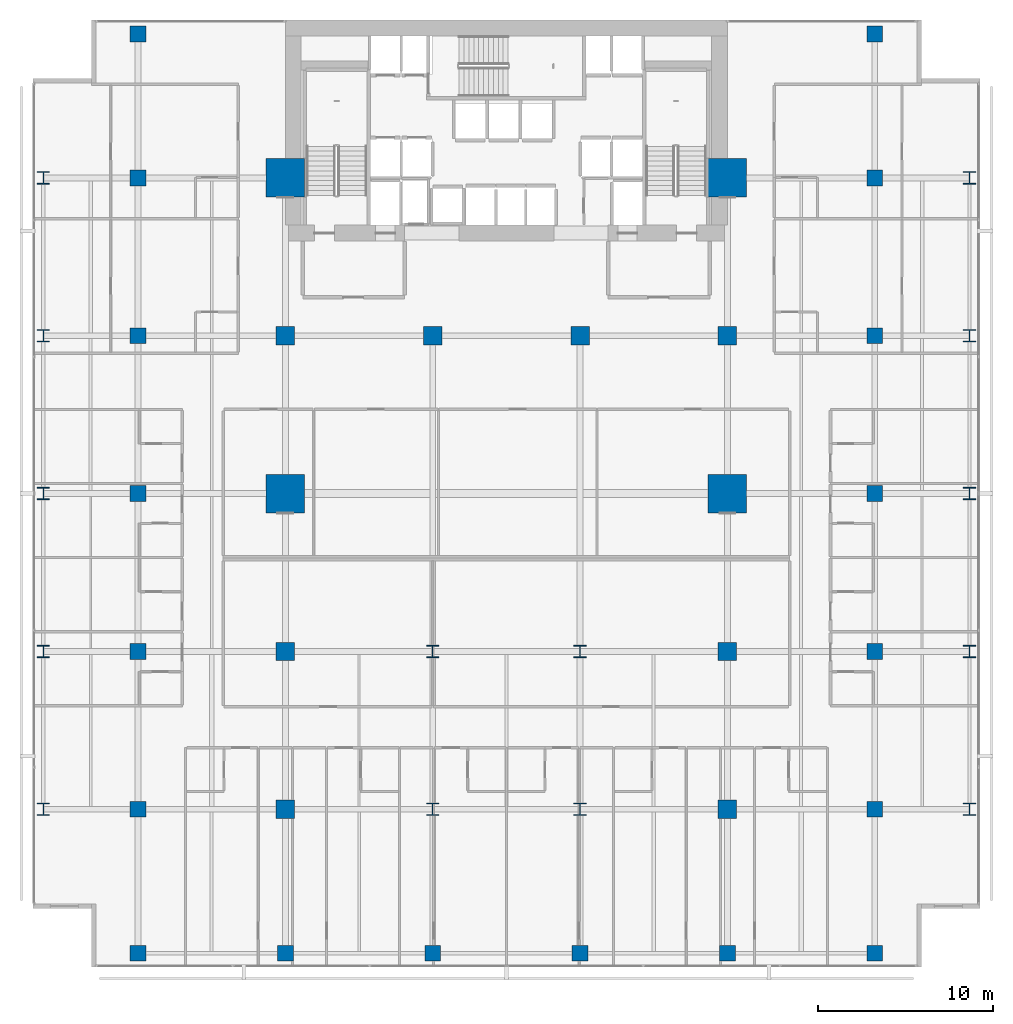
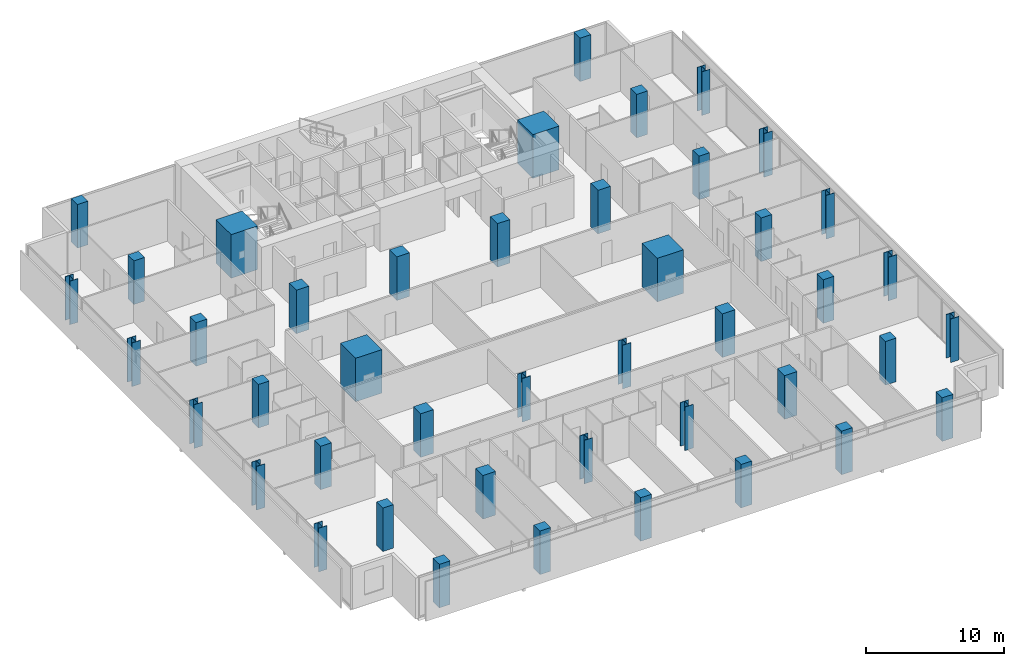
# One storey, part 1 of 40: 44 columns.
"""IFC4 building model written with IfcOpenShell, lengths in metres."""

from ifc_helpers import new_model, si_unit, direction, frame, origin, origin_2d, place, context, subcontext, project, spatial, rectangle, i_section, extrude, material, material_profile, profile_set, type_object, element, save


model = new_model("IFC4")

# Units and contexts
model_context = context("Model", 3, precision=1e-05, world=origin(), true_north=direction((0.0, 1.0)))
body_context = subcontext(model_context, "Body", "Model", "MODEL_VIEW")
ifc_project = project(units=[si_unit("LENGTHUNIT", "METRE"), si_unit("AREAUNIT", "SQUARE_METRE"), si_unit("VOLUMEUNIT", "CUBIC_METRE"), si_unit("PLANEANGLEUNIT", "RADIAN"), si_unit("MASSUNIT", "GRAM", prefix="KILO")], contexts=[model_context])

# Site, building, storey
site_placement = place(None, origin())
site = spatial("IfcSite", under=ifc_project, at=site_placement, CompositionType="ELEMENT")
building_placement = place(site_placement, origin())
building = spatial("IfcBuilding", under=site, at=building_placement, Name="Maruvema Waterfront Hotel and Observation Tower", CompositionType="ELEMENT")
storey_placement = place(building_placement, frame((0.0, 0.0, 34.64990234375)))
storey = spatial("IfcBuildingStorey", under=building, at=storey_placement, Name="L07", CompositionType="ELEMENT", Elevation=34.64990234375)

# Columns
ifc_material_1 = material(Name="Concrete C80/95", Category="concrete")
ifc_material_profile_1 = material_profile(ifc_material_1, rectangle(XDim=2.199951171875, YDim=2.199951171875, at=origin_2d()), Name="MC2200x2200")
ifc_profile_set_1 = profile_set([ifc_material_profile_1], Name="Concrete C80/95")
column_type_1 = type_object("IfcColumnType", Name="Continuous Mega-Column MC2200x2200", PredefinedType="COLUMN", material=ifc_profile_set_1)
for number, where, z_axis, x_axis, name in (
    (1, (25.199951171875, 27.0, 0.0), (0.0, 0.0, 1.0), (1.0, 0.0, 0.0), "L07 Continuous Mega-Column MC-01"),
    (2, (50.39990234375, 27.0, 0.0), (0.0, 0.0, 1.0), (1.0, 0.0, 0.0), "L07 Continuous Mega-Column MC-02"),
    (3, (25.199951171875, 45.0, 0.0), (0.0, 0.0, 1.0), (1.0, 0.0, 0.0), "L07 Continuous Mega-Column MC-03"),
    (4, (50.39990234375, 45.0, 0.0), (0.0, 0.0, 1.0), (1.0, 0.0, 0.0), "L07 Continuous Mega-Column MC-04"),
):
    element("IfcColumn", number, at=place(storey_placement, frame(where, z_axis=z_axis, x_axis=x_axis)), inside=storey, type_object=column_type_1, Name=name, PredefinedType="COLUMN", context=body_context, shape_type="SweptSolid", body=[
        extrude(rectangle(XDim=2.199951171875, YDim=2.199951171875, at=origin_2d()), origin(), (0.0, 0.0, 1.0), 3.85009765625),
    ])
ifc_material_2 = material(Name="Concrete C60/75", Category="concrete")
ifc_material_profile_2 = material_profile(ifc_material_2, rectangle(XDim=1.050048828125, YDim=1.050048828125, at=origin_2d()), Name="RC1050x1050")
ifc_profile_set_2 = profile_set([ifc_material_profile_2], Name="Concrete C60/75")
column_type_2 = type_object("IfcColumnType", Name="Reinforced Concrete Column RC1050x1050", PredefinedType="COLUMN", material=ifc_profile_set_2)
for number, where, z_axis, x_axis, name in (
    (5, (25.199951171875, 36.0, 0.0), (0.0, 0.0, 1.0), (1.0, 0.0, 0.0), "L07 Column C-4E"),
    (6, (33.60009765625, 36.0, 0.0), (0.0, 0.0, 1.0), (1.0, 0.0, 0.0), "L07 Column C-5E"),
    (7, (42.0, 36.0, 0.0), (0.0, 0.0, 1.0), (1.0, 0.0, 0.0), "L07 Column C-6E"),
    (8, (50.39990234375, 36.0, 0.0), (0.0, 0.0, 1.0), (1.0, 0.0, 0.0), "L07 Column C-7E"),
    (9, (25.199951171875, 18.0, 0.0), (0.0, 0.0, 1.0), (1.0, 0.0, 0.0), "L07 Column C-4C"),
    (10, (50.39990234375, 18.0, 0.0), (0.0, 0.0, 1.0), (1.0, 0.0, 0.0), "L07 Column C-7C"),
    (11, (25.199951171875, 9.0, 0.0), (0.0, 0.0, 1.0), (1.0, 0.0, 0.0), "L07 Column C-4B"),
    (12, (50.39990234375, 9.0, 0.0), (0.0, 0.0, 1.0), (1.0, 0.0, 0.0), "L07 Column C-7B"),
):
    element("IfcColumn", number, at=place(storey_placement, frame(where, z_axis=z_axis, x_axis=x_axis)), inside=storey, type_object=column_type_2, Name=name, PredefinedType="COLUMN", context=body_context, shape_type="SweptSolid", body=[
        extrude(rectangle(XDim=1.050048828125, YDim=1.050048828125, at=origin_2d()), origin(), (0.0, 0.0, 1.0), 3.85009765625),
    ])
ifc_material_3 = material(Name="Concrete C60/75", Category="concrete")
ifc_material_profile_3 = material_profile(ifc_material_3, rectangle(XDim=0.89990234375, YDim=0.89990234375, at=origin_2d()), Name="RC900x900")
ifc_profile_set_3 = profile_set([ifc_material_profile_3], Name="Concrete C60/75")
column_type_3 = type_object("IfcColumnType", Name="Reinforced Concrete Column RC900x900", PredefinedType="COLUMN", material=ifc_profile_set_3)
for number, where, z_axis, x_axis, name in (
    (13, (16.800048828125, 9.0, 0.0), (0.0, 0.0, 1.0), (1.0, 0.0, 0.0), "L07 Column C-3Y9"),
    (14, (58.800048828125, 9.0, 0.0), (0.0, 0.0, 1.0), (1.0, 0.0, 0.0), "L07 Column C-8Y9"),
    (15, (16.800048828125, 18.0, 0.0), (0.0, 0.0, 1.0), (1.0, 0.0, 0.0), "L07 Column C-3Y18"),
    (16, (58.800048828125, 18.0, 0.0), (0.0, 0.0, 1.0), (1.0, 0.0, 0.0), "L07 Column C-8Y18"),
    (17, (16.800048828125, 27.0, 0.0), (0.0, 0.0, 1.0), (1.0, 0.0, 0.0), "L07 Column C-3Y27"),
    (18, (58.800048828125, 27.0, 0.0), (0.0, 0.0, 1.0), (1.0, 0.0, 0.0), "L07 Column C-8Y27"),
    (19, (16.800048828125, 36.0, 0.0), (0.0, 0.0, 1.0), (1.0, 0.0, 0.0), "L07 Column C-3Y36"),
    (20, (58.800048828125, 36.0, 0.0), (0.0, 0.0, 1.0), (1.0, 0.0, 0.0), "L07 Column C-8Y36"),
    (21, (16.800048828125, 45.0, 0.0), (0.0, 0.0, 1.0), (1.0, 0.0, 0.0), "L07 Column C-3Y45"),
    (22, (58.800048828125, 45.0, 0.0), (0.0, 0.0, 1.0), (1.0, 0.0, 0.0), "L07 Column C-8Y45"),
    (23, (16.800048828125, 0.800048828125, 0.0), (0.0, 0.0, 1.0), (1.0, 0.0, 0.0), "L07 Column C-3A"),
    (24, (25.199951171875, 0.800048828125, 0.0), (0.0, 0.0, 1.0), (1.0, 0.0, 0.0), "L07 Column C-4A"),
    (25, (33.60009765625, 0.800048828125, 0.0), (0.0, 0.0, 1.0), (1.0, 0.0, 0.0), "L07 Column C-5A"),
    (26, (42.0, 0.800048828125, 0.0), (0.0, 0.0, 1.0), (1.0, 0.0, 0.0), "L07 Column C-6A"),
    (27, (50.39990234375, 0.800048828125, 0.0), (0.0, 0.0, 1.0), (1.0, 0.0, 0.0), "L07 Column C-7A"),
    (28, (58.800048828125, 0.800048828125, 0.0), (0.0, 0.0, 1.0), (1.0, 0.0, 0.0), "L07 Column C-8A"),
    (29, (16.800048828125, 53.199951171875, 0.0), (0.0, 0.0, 1.0), (1.0, 0.0, 0.0), "L07 Column C-3G"),
    (30, (58.800048828125, 53.199951171875, 0.0), (0.0, 0.0, 1.0), (1.0, 0.0, 0.0), "L07 Column C-8G"),
):
    element("IfcColumn", number, at=place(storey_placement, frame(where, z_axis=z_axis, x_axis=x_axis)), inside=storey, type_object=column_type_3, Name=name, PredefinedType="COLUMN", context=body_context, shape_type="SweptSolid", body=[
        extrude(rectangle(XDim=0.89990234375, YDim=0.89990234375, at=origin_2d()), origin(), (0.0, 0.0, 1.0), 3.85009765625),
    ])
ifc_material_4 = material(Name="Steel ABNT NBR 7007 AR 415 (ASTM A572 Grade 50)", Category="steel")
ifc_material_profile_4 = material_profile(ifc_material_4, i_section(OverallWidth=0.699951171875, OverallDepth=0.699951171875, WebThickness=0.028076171875, FlangeThickness=0.0439453125, at=origin_2d()), Name="CVS700x436")
ifc_profile_set_4 = profile_set([ifc_material_profile_4], Name="Steel ABNT NBR 7007 AR 415 (ASTM A572 Grade 50)")
column_type_4 = type_object("IfcColumnType", Name="Structural Steel Column CVS700x436", PredefinedType="COLUMN", material=ifc_profile_set_4)
for number, where, z_axis, x_axis, name in (
    (31, (33.60009765625, 9.0, 0.0), (0.0, 0.0, 1.0), (1.0, 0.0, 0.0), "L07 Column C-5B"),
    (32, (42.0, 9.0, 0.0), (0.0, 0.0, 1.0), (1.0, 0.0, 0.0), "L07 Column C-6B"),
    (33, (33.60009765625, 18.0, 0.0), (0.0, 0.0, 1.0), (1.0, 0.0, 0.0), "L07 Column C-5C"),
    (34, (42.0, 18.0, 0.0), (0.0, 0.0, 1.0), (1.0, 0.0, 0.0), "L07 Column C-6C"),
    (35, (11.39990234375, 9.0, 0.0), (0.0, 0.0, 1.0), (1.0, 0.0, 0.0), "L07 Column C-Z1W9"),
    (36, (64.199951171875, 9.0, 0.0), (0.0, 0.0, 1.0), (1.0, 0.0, 0.0), "L07 Column C-Z1E9"),
    (37, (11.39990234375, 18.0, 0.0), (0.0, 0.0, 1.0), (1.0, 0.0, 0.0), "L07 Column C-Z1W18"),
    (38, (64.199951171875, 18.0, 0.0), (0.0, 0.0, 1.0), (1.0, 0.0, 0.0), "L07 Column C-Z1E18"),
    (39, (11.39990234375, 27.0, 0.0), (0.0, 0.0, 1.0), (1.0, 0.0, 0.0), "L07 Column C-Z1W27"),
    (40, (64.199951171875, 27.0, 0.0), (0.0, 0.0, 1.0), (1.0, 0.0, 0.0), "L07 Column C-Z1E27"),
    (41, (11.39990234375, 36.0, 0.0), (0.0, 0.0, 1.0), (1.0, 0.0, 0.0), "L07 Column C-Z1W36"),
    (42, (64.199951171875, 36.0, 0.0), (0.0, 0.0, 1.0), (1.0, 0.0, 0.0), "L07 Column C-Z1E36"),
    (43, (11.39990234375, 45.0, 0.0), (0.0, 0.0, 1.0), (1.0, 0.0, 0.0), "L07 Column C-Z1W45"),
    (44, (64.199951171875, 45.0, 0.0), (0.0, 0.0, 1.0), (1.0, 0.0, 0.0), "L07 Column C-Z1E45"),
):
    element("IfcColumn", number, at=place(storey_placement, frame(where, z_axis=z_axis, x_axis=x_axis)), inside=storey, type_object=column_type_4, Name=name, PredefinedType="COLUMN", context=body_context, shape_type="SweptSolid", body=[
        extrude(i_section(OverallWidth=0.699951171875, OverallDepth=0.699951171875, WebThickness=0.028076171875, FlangeThickness=0.0439453125, at=origin_2d()), origin(), (0.0, 0.0, 1.0), 3.85009765625),
    ])

save(model, "model.ifc")
